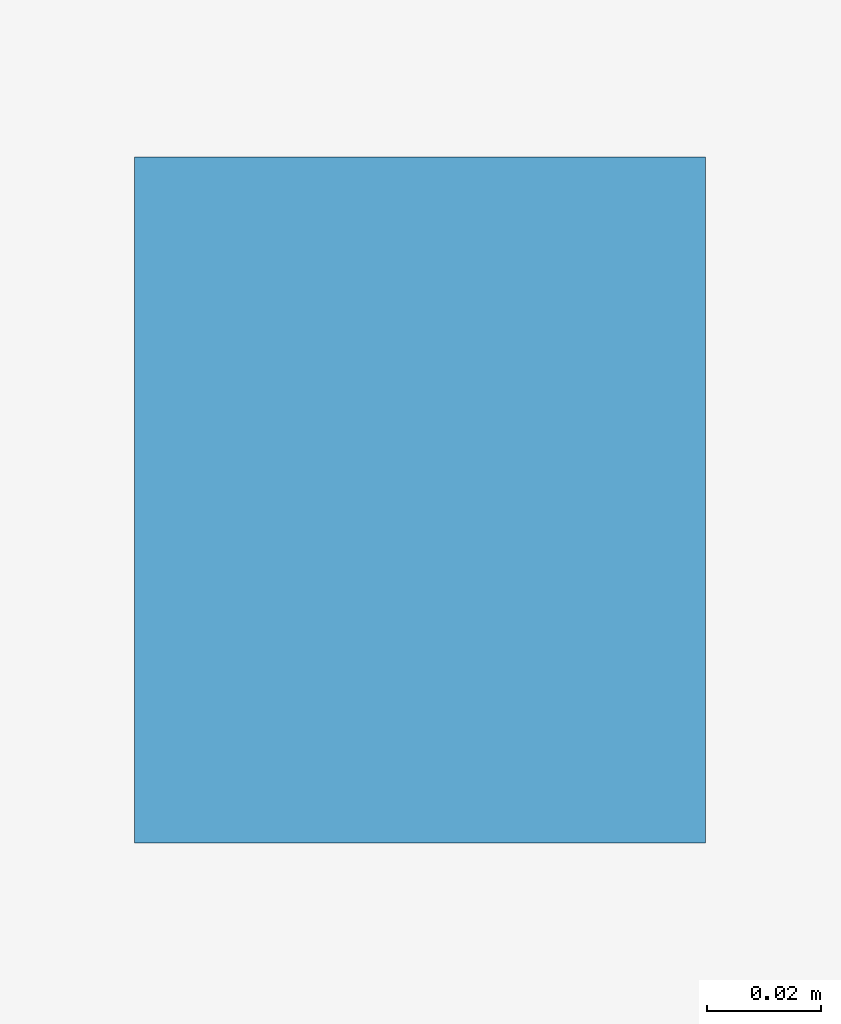
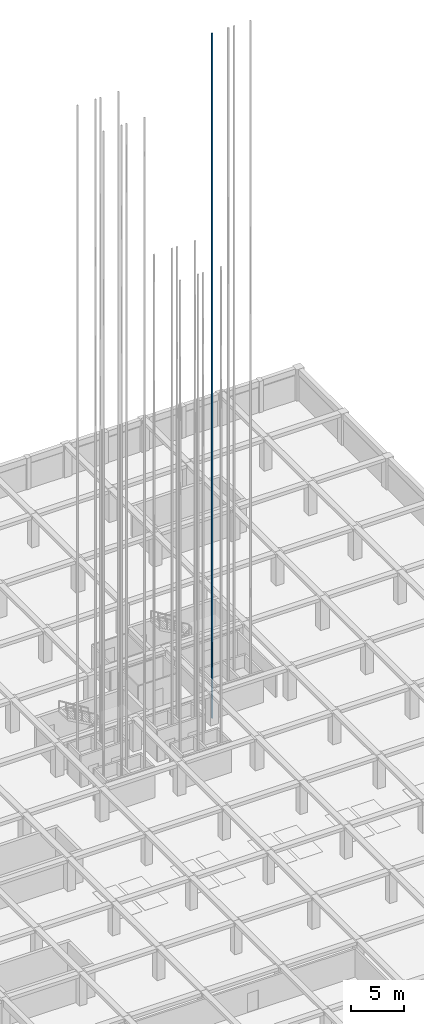
# One storey, part 41 of 47: 1 discrete accessory.
"""IFC4 building model written with IfcOpenShell, lengths in metres."""

from ifc_helpers import new_model, si_unit, direction, frame, origin, origin_2d, place, context, subcontext, project, spatial, rectangle, extrude, material, layer, layer_set, type_object, element, save


model = new_model("IFC4")

# Units and contexts
model_context = context("Model", 3, precision=1e-05, world=origin(), true_north=direction((0.0, 1.0)))
body_context = subcontext(model_context, "Body", "Model", "MODEL_VIEW")
ifc_project = project(units=[si_unit("LENGTHUNIT", "METRE"), si_unit("AREAUNIT", "SQUARE_METRE"), si_unit("VOLUMEUNIT", "CUBIC_METRE"), si_unit("PLANEANGLEUNIT", "RADIAN"), si_unit("MASSUNIT", "GRAM", prefix="KILO")], contexts=[model_context])

# Site, building, storey
site_placement = place(None, origin())
site = spatial("IfcSite", under=ifc_project, at=site_placement, CompositionType="ELEMENT")
building_placement = place(site_placement, origin())
building = spatial("IfcBuilding", under=site, at=building_placement, Name="Almacenes y Pasaje Nevantli", CompositionType="ELEMENT")
storey_placement = place(building_placement, frame((0.0, 0.0, -8.10009765625)))
storey = spatial("IfcBuildingStorey", under=building, at=storey_placement, Name="B02", CompositionType="ELEMENT", Elevation=-8.10009765625)

# Discrete accessory
ifc_material = material(Name="Steel ASTM A36", Category="steel")
ifc_layer = layer(ifc_material, 0.1201171875)
ifc_layer_set = layer_set([ifc_layer], Name="Steel ASTM A36")
discrete_accessory_type = type_object("IfcDiscreteAccessoryType", Name="ACC-LIFT-RAIL", PredefinedType="BRACKET", material=ifc_layer_set)
discrete_accessory_placement = place(storey_placement, frame((135.6201171875, 77.75, -1.199951171875), z_axis=(0.0, 0.0, 1.0), x_axis=(1.0, 0.0, 0.0)))
element("IfcDiscreteAccessory", 1, at=discrete_accessory_placement, inside=storey, type_object=discrete_accessory_type, Name="Elevator Steel T-Section Guide Rail ELV-FF1-W", PredefinedType="BRACKET", context=body_context, shape_type="SweptSolid", body=[
    extrude(rectangle(XDim=0.10009765625, YDim=0.1201171875, at=origin_2d()), origin(), (0.0, 0.0, 1.0), 78.5),
])

save(model, "model.ifc")
